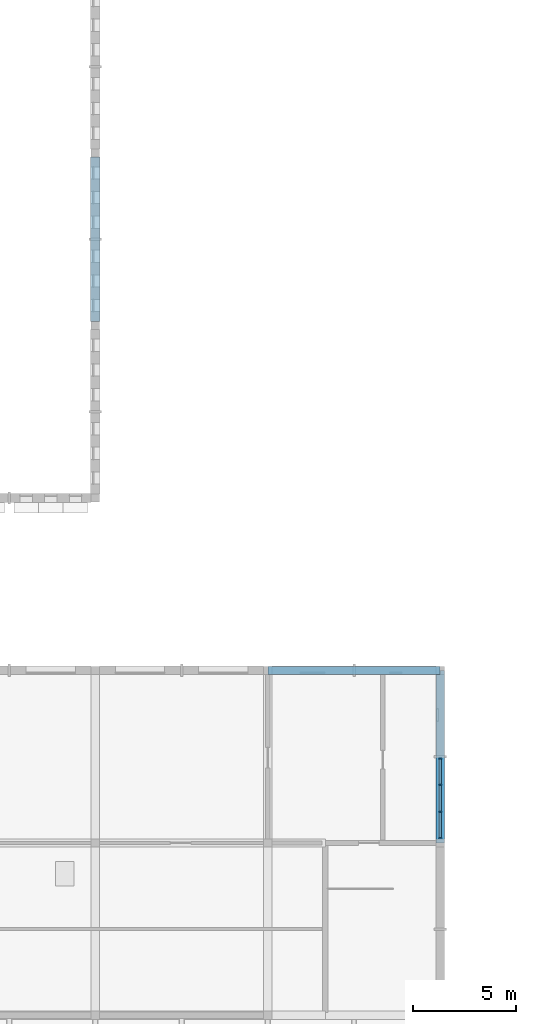
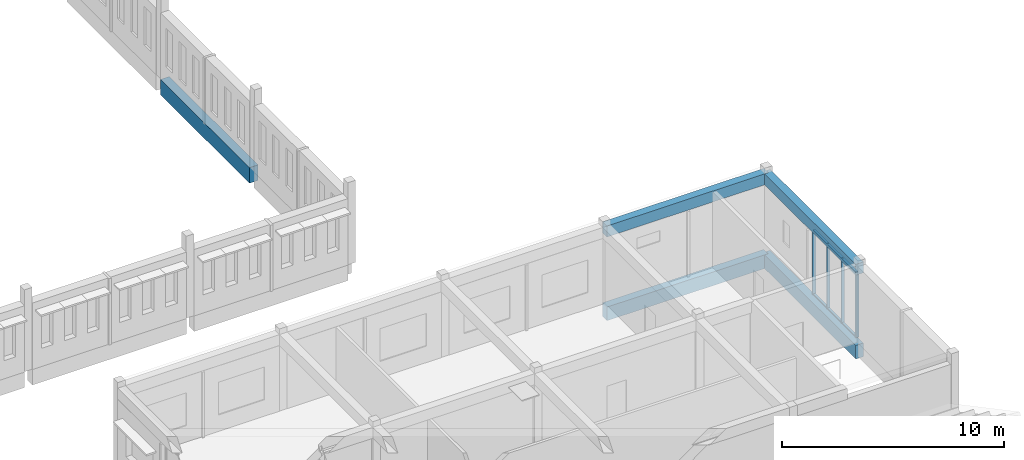
# One storey, part 48 of 101: 10 members, 5 beams, 1 element without a shape of its own.
"""IFC4 building model written with IfcOpenShell, lengths in metres."""

from ifc_helpers import new_model, si_unit, direction, frame, origin, origin_2d, place, context, subcontext, project, spatial, rectangle, extrude, material, material_profile, profile_set, type_object, element, aggregate, save


model = new_model("IFC4")

# Units and contexts
model_context = context("Model", 3, precision=1e-05, world=origin(), true_north=direction((0.0, 1.0)))
body_context = subcontext(model_context, "Body", "Model", "MODEL_VIEW")
ifc_project = project(units=[si_unit("LENGTHUNIT", "METRE"), si_unit("AREAUNIT", "SQUARE_METRE"), si_unit("VOLUMEUNIT", "CUBIC_METRE"), si_unit("PLANEANGLEUNIT", "RADIAN"), si_unit("MASSUNIT", "GRAM", prefix="KILO")], contexts=[model_context])

# Site, building, storey
site_placement = place(None, origin())
site = spatial("IfcSite", under=ifc_project, at=site_placement, CompositionType="ELEMENT")
building_placement = place(site_placement, origin())
building = spatial("IfcBuilding", under=site, at=building_placement, Name="Fescue Hill Polytechnic", CompositionType="ELEMENT")
storey_placement = place(building_placement, frame((0.0, 0.0, 9.0)))
storey = spatial("IfcBuildingStorey", under=building, at=storey_placement, Name="L02", CompositionType="ELEMENT", Elevation=9.0)

# Beams
ifc_material_1 = material(Name="Concrete 35 MPa", Category="concrete")
ifc_material_profile_1 = material_profile(ifc_material_1, rectangle(XDim=0.39990234375, YDim=0.60009765625, at=origin_2d()), Name="RC 400x600")
ifc_profile_set_1 = profile_set([ifc_material_profile_1], Name="Concrete 35 MPa")
beam_type_1 = type_object("IfcBeamType", Name="Beam RC 400x600", PredefinedType="BEAM", material=ifc_profile_set_1)
beam_1_placement = place(storey_placement, frame((151.2099609375, 50.39990234375, 3.89990234375), z_axis=(1.0, 0.0, 0.0), x_axis=(0.0, 1.0, 0.0)))
element("IfcBeam", 1, at=beam_1_placement, inside=storey, type_object=beam_type_1, Name="BR-L02-0081", PredefinedType="BEAM", context=body_context, shape_type="SweptSolid", body=[
    extrude(rectangle(XDim=0.39990234375, YDim=0.60009765625, at=origin_2d()), origin(), (0.0, 0.0, 1.0), 8.380126953125),
])
beam_2_placement = place(storey_placement, frame((159.60009765625, 42.0, 3.89990234375), z_axis=(0.0, 1.0, 0.0), x_axis=(-1.0, 0.0, 0.0)))
element("IfcBeam", 2, at=beam_2_placement, inside=storey, type_object=beam_type_1, Name="BR-L02-0082", PredefinedType="BEAM", context=body_context, shape_type="SweptSolid", body=[
    extrude(rectangle(XDim=0.39990234375, YDim=0.60009765625, at=origin_2d()), origin(), (0.0, 0.0, 1.0), 8.39990234375),
])
ifc_material_profile_2 = material_profile(ifc_material_1, rectangle(XDim=0.39990234375, YDim=0.75, at=origin_2d()), Name="RC 400x750")
ifc_profile_set_2 = profile_set([ifc_material_profile_2], Name="Concrete 35 MPa")
beam_type_2 = type_object("IfcBeamType", Name="Beam RC 400x750", PredefinedType="BEAM", material=ifc_profile_set_2)
beam_3_placement = place(storey_placement, frame((151.2099609375, 50.39990234375, -0.625), z_axis=(1.0, 0.0, 0.0), x_axis=(0.0, 1.0, 0.0)))
element("IfcBeam", 3, at=beam_3_placement, inside=storey, type_object=beam_type_2, Name="BM-L02-0137", PredefinedType="BEAM", context=body_context, shape_type="SweptSolid", body=[
    extrude(rectangle(XDim=0.39990234375, YDim=0.75, at=origin_2d()), origin(), (0.0, 0.0, 1.0), 8.380126953125),
])
beam_4_placement = place(storey_placement, frame((159.60009765625, 42.0, -0.625), z_axis=(0.0, 1.0, 0.0), x_axis=(-1.0, 0.0, 0.0)))
element("IfcBeam", 4, at=beam_4_placement, inside=storey, type_object=beam_type_2, Name="BM-L02-0138", PredefinedType="BEAM", context=body_context, shape_type="SweptSolid", body=[
    extrude(rectangle(XDim=0.39990234375, YDim=0.75, at=origin_2d()), origin(), (0.0, 0.0, 1.0), 8.39990234375),
])
ifc_material_profile_3 = material_profile(ifc_material_1, rectangle(XDim=0.449951171875, YDim=0.85009765625, at=origin_2d()), Name="RC 450x850")
ifc_profile_set_3 = profile_set([ifc_material_profile_3], Name="Concrete 35 MPa")
beam_type_3 = type_object("IfcBeamType", Name="Beam RC 450x850", PredefinedType="BEAM", material=ifc_profile_set_3)
beam_5_placement = place(storey_placement, frame((142.800048828125, 67.39990234375, -0.425048828125), z_axis=(0.0, 1.0, 0.0), x_axis=(-1.0, 0.0, 0.0)))
element("IfcBeam", 5, at=beam_5_placement, inside=storey, type_object=beam_type_3, Name="BM-L02-0203", PredefinedType="BEAM", context=body_context, shape_type="SweptSolid", body=[
    extrude(rectangle(XDim=0.449951171875, YDim=0.85009765625, at=origin_2d()), origin(), (0.0, 0.0, 1.0), 8.0),
])

# Curtain wall, members
ifc_material_2 = material(Name="Glass", Category="glass")
curtain_wall_type = type_object("IfcCurtainWallType", Name="Curtain wall structural glazing", PredefinedType="NOTDEFINED", material=ifc_material_2)
curtain_wall_placement = place(storey_placement, origin())
curtain_wall = element("IfcCurtainWall", 6, at=curtain_wall_placement, inside=storey, type_object=curtain_wall_type, Name="CW-L02-V3-X2", PredefinedType="NOTDEFINED")
ifc_material_3 = material(Name="Powder-coated aluminium", Category="aluminium")
ifc_material_profile_4 = material_profile(ifc_material_3, rectangle(XDim=0.159912109375, YDim=0.06005859375, at=origin_2d()), Name="Mullion aluminium 60x160")
ifc_profile_set_4 = profile_set([ifc_material_profile_4], Name="Powder-coated aluminium")
member_type_1 = type_object("IfcMemberType", Name="Mullion aluminium 60x160", PredefinedType="MULLION", material=ifc_profile_set_4)
member_1_placement = place(storey_placement, frame((159.60009765625, 42.22998046875, 0.0), z_axis=(0.0, 0.0, 1.0), x_axis=(-1.0, 0.0, 0.0)))
member_1 = element("IfcMember", 7, at=member_1_placement, type_object=member_type_1, Name="CW119 mullion 1", PredefinedType="MULLION", context=body_context, shape_type="SweptSolid", body=[
    extrude(rectangle(XDim=0.159912109375, YDim=0.06005859375, at=origin_2d()), origin(), (0.0, 0.0, 1.0), 3.580078125),
])
member_2_placement = place(storey_placement, frame((159.60009765625, 43.513427734375, 0.0), z_axis=(0.0, 0.0, 1.0), x_axis=(-1.0, 0.0, 0.0)))
member_2 = element("IfcMember", 8, at=member_2_placement, type_object=member_type_1, Name="CW119 mullion 2", PredefinedType="MULLION", context=body_context, shape_type="SweptSolid", body=[
    extrude(rectangle(XDim=0.159912109375, YDim=0.06005859375, at=origin_2d()), origin(), (0.0, 0.0, 1.0), 3.580078125),
])
member_3_placement = place(storey_placement, frame((159.60009765625, 44.82666015625, 0.0), z_axis=(0.0, 0.0, 1.0), x_axis=(-1.0, 0.0, 0.0)))
member_3 = element("IfcMember", 9, at=member_3_placement, type_object=member_type_1, Name="CW119 mullion 3", PredefinedType="MULLION", context=body_context, shape_type="SweptSolid", body=[
    extrude(rectangle(XDim=0.159912109375, YDim=0.06005859375, at=origin_2d()), origin(), (0.0, 0.0, 1.0), 3.580078125),
])
member_4_placement = place(storey_placement, frame((159.60009765625, 46.110107421875, 0.0), z_axis=(0.0, 0.0, 1.0), x_axis=(-1.0, 0.0, 0.0)))
member_4 = element("IfcMember", 10, at=member_4_placement, type_object=member_type_1, Name="CW119 mullion 4", PredefinedType="MULLION", context=body_context, shape_type="SweptSolid", body=[
    extrude(rectangle(XDim=0.159912109375, YDim=0.06005859375, at=origin_2d()), origin(), (0.0, 0.0, 1.0), 3.580078125),
])
ifc_material_profile_5 = material_profile(ifc_material_3, rectangle(XDim=0.1201171875, YDim=0.06005859375, at=origin_2d()), Name="Transom aluminium 60x120")
ifc_profile_set_5 = profile_set([ifc_material_profile_5], Name="Powder-coated aluminium")
member_type_2 = type_object("IfcMemberType", Name="Transom aluminium 60x120", PredefinedType="USERDEFINED", material=ifc_profile_set_5)
member_5_placement = place(storey_placement, frame((159.60009765625, 42.260009765625, 0.030029296875), z_axis=(0.0, 1.0, 0.0), x_axis=(-1.0, 0.0, 0.0)))
member_5 = element("IfcMember", 11, at=member_5_placement, type_object=member_type_2, Name="CW119 transom 1.1", ObjectType="TRANSOM", PredefinedType="USERDEFINED", context=body_context, shape_type="SweptSolid", body=[
    extrude(rectangle(XDim=0.1201171875, YDim=0.06005859375, at=origin_2d()), origin(), (0.0, 0.0, 1.0), 1.223388671875),
])
member_6_placement = place(storey_placement, frame((159.60009765625, 42.260009765625, 3.550048828125), z_axis=(0.0, 1.0, 0.0), x_axis=(-1.0, 0.0, 0.0)))
member_6 = element("IfcMember", 12, at=member_6_placement, type_object=member_type_2, Name="CW119 transom 1.2", ObjectType="TRANSOM", PredefinedType="USERDEFINED", context=body_context, shape_type="SweptSolid", body=[
    extrude(rectangle(XDim=0.1201171875, YDim=0.06005859375, at=origin_2d()), origin(), (0.0, 0.0, 1.0), 1.223388671875),
])
member_7_placement = place(storey_placement, frame((159.60009765625, 43.543212890625, 0.030029296875), z_axis=(0.0, 1.0, 0.0), x_axis=(-1.0, 0.0, 0.0)))
member_7 = element("IfcMember", 13, at=member_7_placement, type_object=member_type_2, Name="CW119 transom 2.1", ObjectType="TRANSOM", PredefinedType="USERDEFINED", context=body_context, shape_type="SweptSolid", body=[
    extrude(rectangle(XDim=0.1201171875, YDim=0.06005859375, at=origin_2d()), origin(), (0.0, 0.0, 1.0), 1.25341796875),
])
member_8_placement = place(storey_placement, frame((159.60009765625, 43.543212890625, 3.550048828125), z_axis=(0.0, 1.0, 0.0), x_axis=(-1.0, 0.0, 0.0)))
member_8 = element("IfcMember", 14, at=member_8_placement, type_object=member_type_2, Name="CW119 transom 2.2", ObjectType="TRANSOM", PredefinedType="USERDEFINED", context=body_context, shape_type="SweptSolid", body=[
    extrude(rectangle(XDim=0.1201171875, YDim=0.06005859375, at=origin_2d()), origin(), (0.0, 0.0, 1.0), 1.25341796875),
])
member_9_placement = place(storey_placement, frame((159.60009765625, 44.856689453125, 0.030029296875), z_axis=(0.0, 1.0, 0.0), x_axis=(-1.0, 0.0, 0.0)))
member_9 = element("IfcMember", 15, at=member_9_placement, type_object=member_type_2, Name="CW119 transom 3.1", ObjectType="TRANSOM", PredefinedType="USERDEFINED", context=body_context, shape_type="SweptSolid", body=[
    extrude(rectangle(XDim=0.1201171875, YDim=0.06005859375, at=origin_2d()), origin(), (0.0, 0.0, 1.0), 1.223388671875),
])
member_10_placement = place(storey_placement, frame((159.60009765625, 44.856689453125, 3.550048828125), z_axis=(0.0, 1.0, 0.0), x_axis=(-1.0, 0.0, 0.0)))
member_10 = element("IfcMember", 16, at=member_10_placement, type_object=member_type_2, Name="CW119 transom 3.2", ObjectType="TRANSOM", PredefinedType="USERDEFINED", context=body_context, shape_type="SweptSolid", body=[
    extrude(rectangle(XDim=0.1201171875, YDim=0.06005859375, at=origin_2d()), origin(), (0.0, 0.0, 1.0), 1.223388671875),
])
aggregate(curtain_wall, [member_1, member_2, member_3, member_4, member_5, member_6, member_7, member_8, member_9, member_10])

save(model, "model.ifc")
